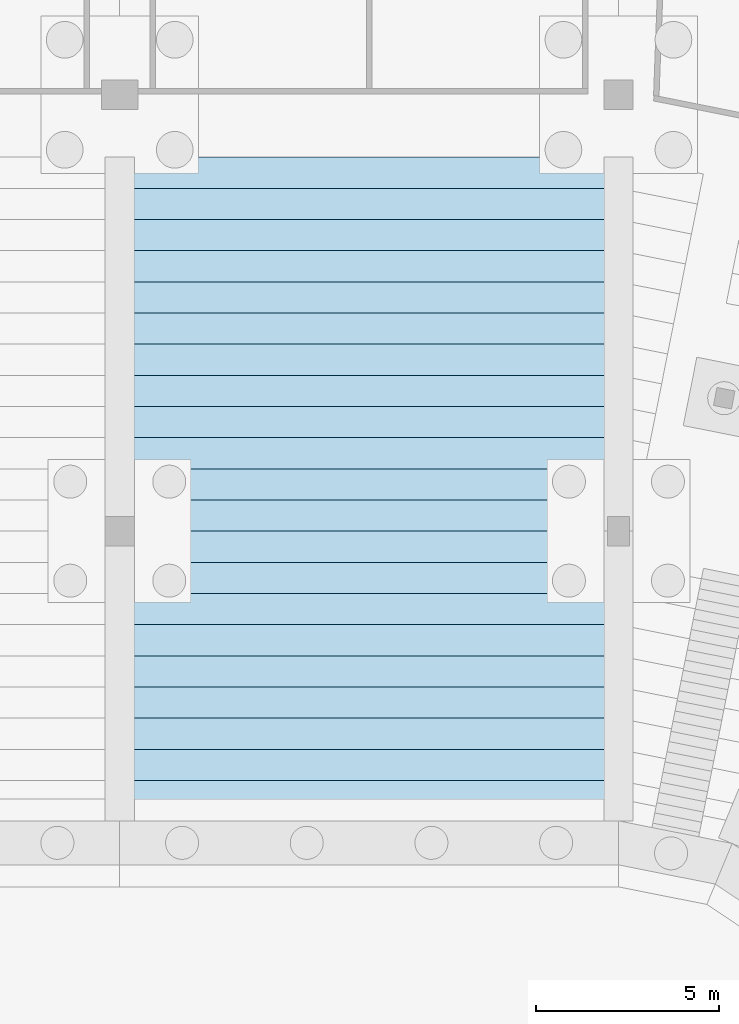
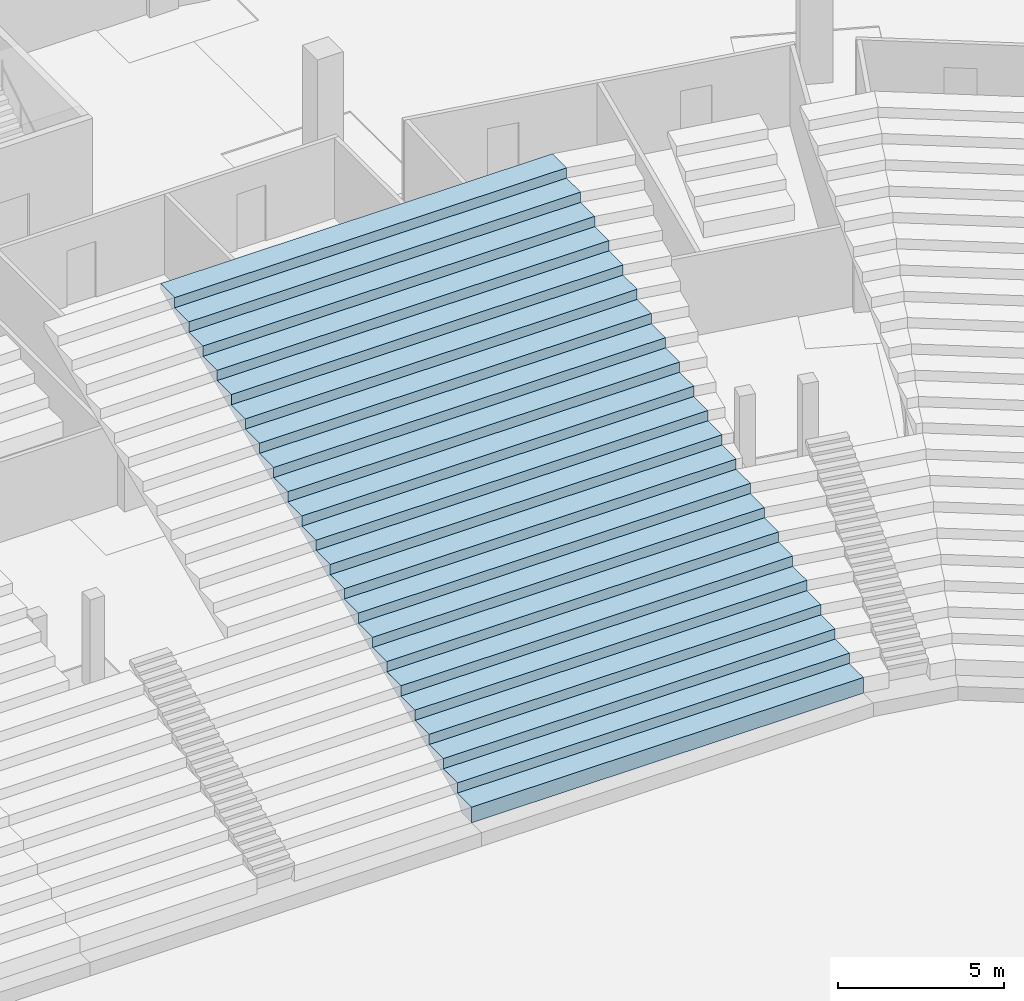
# One storey, part 58 of 115: 1 slab.
"""IFC4 building model written with IfcOpenShell, lengths in metres."""

from ifc_helpers import new_model, si_unit, direction, frame, origin, place, context, subcontext, project, spatial, faceted_brep, material, layer, layer_set, type_object, element, save


model = new_model("IFC4")

# Units and contexts
model_context = context("Model", 3, precision=1e-05, world=origin(), true_north=direction((0.0, 1.0)))
body_context = subcontext(model_context, "Body", "Model", "MODEL_VIEW")
ifc_project = project(units=[si_unit("LENGTHUNIT", "METRE"), si_unit("AREAUNIT", "SQUARE_METRE"), si_unit("VOLUMEUNIT", "CUBIC_METRE"), si_unit("PLANEANGLEUNIT", "RADIAN"), si_unit("MASSUNIT", "GRAM", prefix="KILO")], contexts=[model_context])

# Site, building, storey
site_placement = place(None, origin())
site = spatial("IfcSite", under=ifc_project, at=site_placement, CompositionType="ELEMENT")
building_placement = place(site_placement, origin())
building = spatial("IfcBuilding", under=site, at=building_placement, Name="Ogive Plaza Stadium", CompositionType="ELEMENT")
storey_placement = place(building_placement, frame((0.0, 0.0, -4.5)))
storey = spatial("IfcBuildingStorey", under=building, at=storey_placement, Name="B1", CompositionType="ELEMENT", Elevation=-4.5)

# Slab
ifc_material = material(Name="Concrete C45/55 precast", Category="concrete")
ifc_layer = layer(ifc_material, 0.574951171875)
ifc_layer_set = layer_set([ifc_layer], Name="Concrete C45/55 precast")
slab_type = type_object("IfcSlabType", Name="Seating tier LT 575", PredefinedType="USERDEFINED", material=ifc_layer_set)
slab_placement = place(storey_placement, origin())
element("IfcSlab", 1, at=slab_placement, inside=storey, type_object=slab_type, Name="Stand LT B36", ObjectType="SEATING TIER", PredefinedType="USERDEFINED", context=body_context, shape_type="Brep", body=[
    faceted_brep([(34.0, 60.0, 1.125), (34.0, 60.60009765625, 1.125), (20.39990234375, 60.60009765625, 1.125), (20.39990234375, 60.0, 1.125), (34.0, 60.85009765625, 1.125), (20.39990234375, 60.85009765625, 1.125), (34.0, 60.60009765625, 0.550048828125), (20.39990234375, 60.0, 0.550048828125), (20.39990234375, 60.60009765625, 0.550048828125), (34.0, 60.0, 0.550048828125), (20.39990234375, 60.85009765625, 0.925048828125), (20.39990234375, 60.85009765625, 1.5), (20.39990234375, 61.699951171875, 1.5), (20.39990234375, 61.699951171875, 1.300048828125), (20.39990234375, 61.699951171875, 1.875), (20.39990234375, 62.550048828125, 1.875), (20.39990234375, 62.550048828125, 1.675048828125), (20.39990234375, 62.550048828125, 2.25), (20.39990234375, 63.39990234375, 2.25), (20.39990234375, 63.39990234375, 2.050048828125), (20.39990234375, 63.39990234375, 2.625), (20.39990234375, 64.25, 2.625), (20.39990234375, 64.25, 2.425048828125), (20.39990234375, 64.25, 3.0), (20.39990234375, 65.10009765625, 3.0), (20.39990234375, 65.10009765625, 2.800048828125), (20.39990234375, 65.10009765625, 3.375), (20.39990234375, 65.949951171875, 3.375), (20.39990234375, 65.949951171875, 3.175048828125), (20.39990234375, 65.949951171875, 3.75), (20.39990234375, 66.800048828125, 3.75), (20.39990234375, 66.800048828125, 3.550048828125), (20.39990234375, 66.800048828125, 4.125), (20.39990234375, 67.64990234375, 4.125), (20.39990234375, 67.64990234375, 3.925048828125), (20.39990234375, 67.64990234375, 4.5), (20.39990234375, 68.5, 4.5), (20.39990234375, 68.5, 4.300048828125), (20.39990234375, 68.5, 4.875), (20.39990234375, 69.35009765625, 4.875), (20.39990234375, 69.35009765625, 4.675048828125), (20.39990234375, 69.35009765625, 5.25), (20.39990234375, 70.199951171875, 5.25), (20.39990234375, 70.199951171875, 5.050048828125), (20.39990234375, 70.199951171875, 5.625), (20.39990234375, 71.050048828125, 5.625), (20.39990234375, 71.050048828125, 5.425048828125), (20.39990234375, 71.050048828125, 6.0), (20.39990234375, 71.89990234375, 6.0), (20.39990234375, 71.89990234375, 5.800048828125), (20.39990234375, 71.89990234375, 6.375), (20.39990234375, 72.75, 6.375), (20.39990234375, 72.75, 6.175048828125), (20.39990234375, 72.75, 6.75), (20.39990234375, 73.60009765625, 6.75), (20.39990234375, 73.60009765625, 6.550048828125), (20.39990234375, 73.60009765625, 7.125), (20.39990234375, 74.449951171875, 7.125), (20.39990234375, 74.449951171875, 6.925048828125), (20.39990234375, 74.449951171875, 7.5), (20.39990234375, 75.300048828125, 7.5), (20.39990234375, 75.300048828125, 7.300048828125), (20.39990234375, 75.300048828125, 7.875), (20.39990234375, 76.14990234375, 7.875), (20.39990234375, 76.14990234375, 7.675048828125), (20.39990234375, 76.14990234375, 8.25), (20.39990234375, 77.0, 8.25), (20.39990234375, 77.0, 8.050048828125), (20.39990234375, 77.0, 8.625), (20.39990234375, 77.85009765625, 8.625), (20.39990234375, 77.85009765625, 8.425048828125), (20.39990234375, 77.85009765625, 9.0), (20.39990234375, 78.699951171875, 9.0), (20.39990234375, 78.699951171875, 8.800048828125), (34.0, 60.85009765625, 0.925048828125), (34.0, 61.699951171875, 1.5), (34.0, 60.85009765625, 1.5), (34.0, 61.699951171875, 1.300048828125), (34.0, 62.550048828125, 1.875), (34.0, 61.699951171875, 1.875), (34.0, 62.550048828125, 1.675048828125), (34.0, 63.39990234375, 2.25), (34.0, 62.550048828125, 2.25), (34.0, 63.39990234375, 2.050048828125), (34.0, 64.25, 2.625), (34.0, 63.39990234375, 2.625), (34.0, 64.25, 2.425048828125), (34.0, 65.10009765625, 3.0), (34.0, 64.25, 3.0), (34.0, 65.10009765625, 2.800048828125), (34.0, 65.949951171875, 3.375), (34.0, 65.10009765625, 3.375), (34.0, 65.949951171875, 3.175048828125), (34.0, 66.800048828125, 3.75), (34.0, 65.949951171875, 3.75), (34.0, 66.800048828125, 3.550048828125), (34.0, 67.64990234375, 4.125), (34.0, 66.800048828125, 4.125), (34.0, 67.64990234375, 3.925048828125), (34.0, 68.5, 4.5), (34.0, 67.64990234375, 4.5), (34.0, 68.5, 4.300048828125), (34.0, 69.35009765625, 4.875), (34.0, 68.5, 4.875), (34.0, 69.35009765625, 4.675048828125), (34.0, 70.199951171875, 5.25), (34.0, 69.35009765625, 5.25), (34.0, 70.199951171875, 5.050048828125), (34.0, 71.050048828125, 5.625), (34.0, 70.199951171875, 5.625), (34.0, 71.050048828125, 5.425048828125), (34.0, 71.89990234375, 6.0), (34.0, 71.050048828125, 6.0), (34.0, 71.89990234375, 5.800048828125), (34.0, 72.75, 6.375), (34.0, 71.89990234375, 6.375), (34.0, 72.75, 6.175048828125), (34.0, 73.60009765625, 6.75), (34.0, 72.75, 6.75), (34.0, 73.60009765625, 6.550048828125), (34.0, 74.449951171875, 7.125), (34.0, 73.60009765625, 7.125), (34.0, 74.449951171875, 6.925048828125), (34.0, 75.300048828125, 7.5), (34.0, 74.449951171875, 7.5), (34.0, 75.300048828125, 7.300048828125), (34.0, 76.14990234375, 7.875), (34.0, 75.300048828125, 7.875), (34.0, 76.14990234375, 7.675048828125), (34.0, 77.0, 8.25), (34.0, 76.14990234375, 8.25), (34.0, 77.0, 8.050048828125), (34.0, 77.85009765625, 8.625), (34.0, 77.0, 8.625), (34.0, 77.85009765625, 8.425048828125), (34.0, 78.699951171875, 9.0), (34.0, 77.85009765625, 9.0), (34.0, 78.699951171875, 8.800048828125)], [[[0, 1, 2]], [[2, 3, 0]], [[1, 4, 5]], [[5, 2, 1]], [[6, 7, 8]], [[6, 9, 7]], [[2, 8, 7]], [[7, 3, 2]], [[10, 8, 2]], [[10, 2, 5]], [[5, 11, 12]], [[12, 13, 10]], [[10, 5, 12]], [[12, 14, 15]], [[15, 16, 13]], [[13, 12, 15]], [[15, 17, 18]], [[18, 19, 16]], [[16, 15, 18]], [[18, 20, 21]], [[21, 22, 19]], [[19, 18, 21]], [[21, 23, 24]], [[24, 25, 22]], [[22, 21, 24]], [[24, 26, 27]], [[27, 28, 25]], [[25, 24, 27]], [[27, 29, 30]], [[30, 31, 28]], [[28, 27, 30]], [[30, 32, 33]], [[33, 34, 31]], [[31, 30, 33]], [[33, 35, 36]], [[36, 37, 34]], [[34, 33, 36]], [[36, 38, 39]], [[39, 40, 37]], [[37, 36, 39]], [[39, 41, 42]], [[42, 43, 40]], [[40, 39, 42]], [[42, 44, 45]], [[45, 46, 43]], [[43, 42, 45]], [[45, 47, 48]], [[48, 49, 46]], [[46, 45, 48]], [[48, 50, 51]], [[51, 52, 49]], [[49, 48, 51]], [[51, 53, 54]], [[54, 55, 52]], [[52, 51, 54]], [[54, 56, 57]], [[57, 58, 55]], [[55, 54, 57]], [[57, 59, 60]], [[60, 61, 58]], [[58, 57, 60]], [[60, 62, 63]], [[63, 64, 61]], [[61, 60, 63]], [[63, 65, 66]], [[66, 67, 64]], [[64, 63, 66]], [[66, 68, 69]], [[69, 70, 67]], [[67, 66, 69]], [[69, 71, 72]], [[72, 73, 70]], [[70, 69, 72]], [[3, 7, 9]], [[9, 0, 3]], [[0, 9, 6]], [[6, 1, 0]], [[1, 6, 74]], [[74, 4, 1]], [[75, 76, 4]], [[4, 74, 77]], [[77, 75, 4]], [[78, 79, 75]], [[75, 77, 80]], [[80, 78, 75]], [[81, 82, 78]], [[78, 80, 83]], [[83, 81, 78]], [[84, 85, 81]], [[81, 83, 86]], [[86, 84, 81]], [[87, 88, 84]], [[84, 86, 89]], [[89, 87, 84]], [[90, 91, 87]], [[87, 89, 92]], [[92, 90, 87]], [[93, 94, 90]], [[90, 92, 95]], [[95, 93, 90]], [[96, 97, 93]], [[93, 95, 98]], [[98, 96, 93]], [[99, 100, 96]], [[96, 98, 101]], [[101, 99, 96]], [[102, 103, 99]], [[99, 101, 104]], [[104, 102, 99]], [[105, 106, 102]], [[102, 104, 107]], [[107, 105, 102]], [[108, 109, 105]], [[105, 107, 110]], [[110, 108, 105]], [[111, 112, 108]], [[108, 110, 113]], [[113, 111, 108]], [[114, 115, 111]], [[111, 113, 116]], [[116, 114, 111]], [[117, 118, 114]], [[114, 116, 119]], [[119, 117, 114]], [[120, 121, 117]], [[117, 119, 122]], [[122, 120, 117]], [[123, 124, 120]], [[120, 122, 125]], [[125, 123, 120]], [[126, 127, 123]], [[123, 125, 128]], [[128, 126, 123]], [[129, 130, 126]], [[126, 128, 131]], [[131, 129, 126]], [[132, 133, 129]], [[129, 131, 134]], [[134, 132, 129]], [[135, 136, 132]], [[132, 134, 137]], [[137, 135, 132]], [[74, 8, 10]], [[74, 6, 8]], [[4, 76, 11]], [[11, 5, 4]], [[76, 75, 12]], [[12, 11, 76]], [[77, 10, 13]], [[77, 74, 10]], [[80, 13, 16]], [[80, 77, 13]], [[83, 16, 19]], [[83, 80, 16]], [[86, 19, 22]], [[86, 83, 19]], [[89, 22, 25]], [[89, 86, 22]], [[92, 25, 28]], [[92, 89, 25]], [[95, 28, 31]], [[95, 92, 28]], [[98, 31, 34]], [[98, 95, 31]], [[101, 34, 37]], [[101, 98, 34]], [[104, 37, 40]], [[104, 101, 37]], [[107, 40, 43]], [[107, 104, 40]], [[110, 43, 46]], [[110, 107, 43]], [[113, 46, 49]], [[113, 110, 46]], [[116, 49, 52]], [[116, 113, 49]], [[119, 52, 55]], [[119, 116, 52]], [[122, 55, 58]], [[122, 119, 55]], [[125, 58, 61]], [[125, 122, 58]], [[128, 61, 64]], [[128, 125, 61]], [[75, 79, 14]], [[14, 12, 75]], [[79, 78, 15]], [[15, 14, 79]], [[78, 82, 17]], [[17, 15, 78]], [[82, 81, 18]], [[18, 17, 82]], [[81, 85, 20]], [[20, 18, 81]], [[85, 84, 21]], [[21, 20, 85]], [[84, 88, 23]], [[23, 21, 84]], [[88, 87, 24]], [[24, 23, 88]], [[87, 91, 26]], [[26, 24, 87]], [[91, 90, 27]], [[27, 26, 91]], [[90, 94, 29]], [[29, 27, 90]], [[94, 93, 30]], [[30, 29, 94]], [[93, 97, 32]], [[32, 30, 93]], [[97, 96, 33]], [[33, 32, 97]], [[96, 100, 35]], [[35, 33, 96]], [[100, 99, 36]], [[36, 35, 100]], [[99, 103, 38]], [[38, 36, 99]], [[103, 102, 39]], [[39, 38, 103]], [[102, 106, 41]], [[41, 39, 102]], [[106, 105, 42]], [[42, 41, 106]], [[105, 109, 44]], [[44, 42, 105]], [[109, 108, 45]], [[45, 44, 109]], [[108, 112, 47]], [[47, 45, 108]], [[112, 111, 48]], [[48, 47, 112]], [[111, 115, 50]], [[50, 48, 111]], [[115, 114, 51]], [[51, 50, 115]], [[114, 118, 53]], [[53, 51, 114]], [[118, 117, 54]], [[54, 53, 118]], [[117, 121, 56]], [[56, 54, 117]], [[121, 120, 57]], [[57, 56, 121]], [[120, 124, 59]], [[59, 57, 120]], [[124, 123, 60]], [[60, 59, 124]], [[123, 127, 62]], [[62, 60, 123]], [[127, 126, 63]], [[63, 62, 127]], [[126, 130, 65]], [[65, 63, 126]], [[130, 129, 66]], [[66, 65, 130]], [[131, 64, 67]], [[131, 128, 64]], [[134, 67, 70]], [[134, 131, 67]], [[137, 70, 73]], [[137, 134, 70]], [[129, 133, 68]], [[68, 66, 129]], [[133, 132, 69]], [[69, 68, 133]], [[132, 136, 71]], [[71, 69, 132]], [[136, 135, 72]], [[72, 71, 136]], [[135, 137, 73]], [[73, 72, 135]]]),
])

save(model, "model.ifc")
